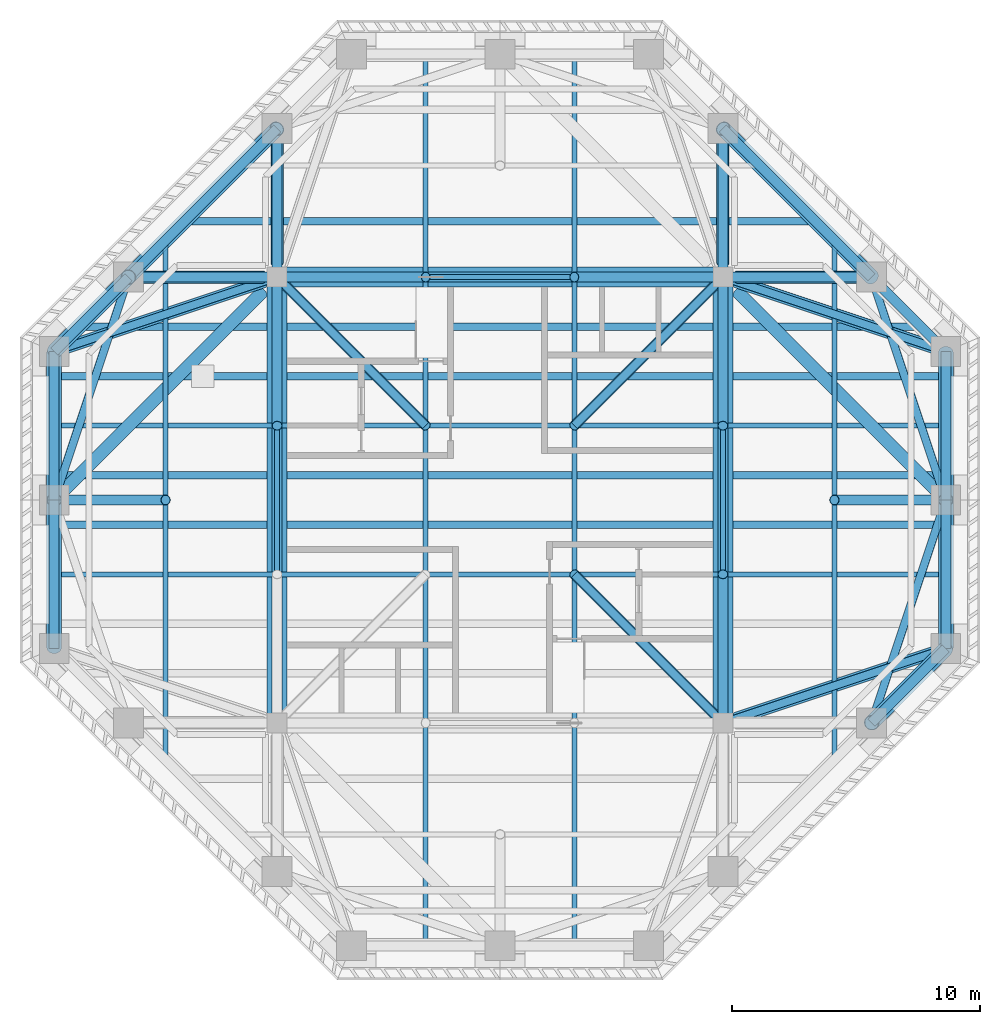
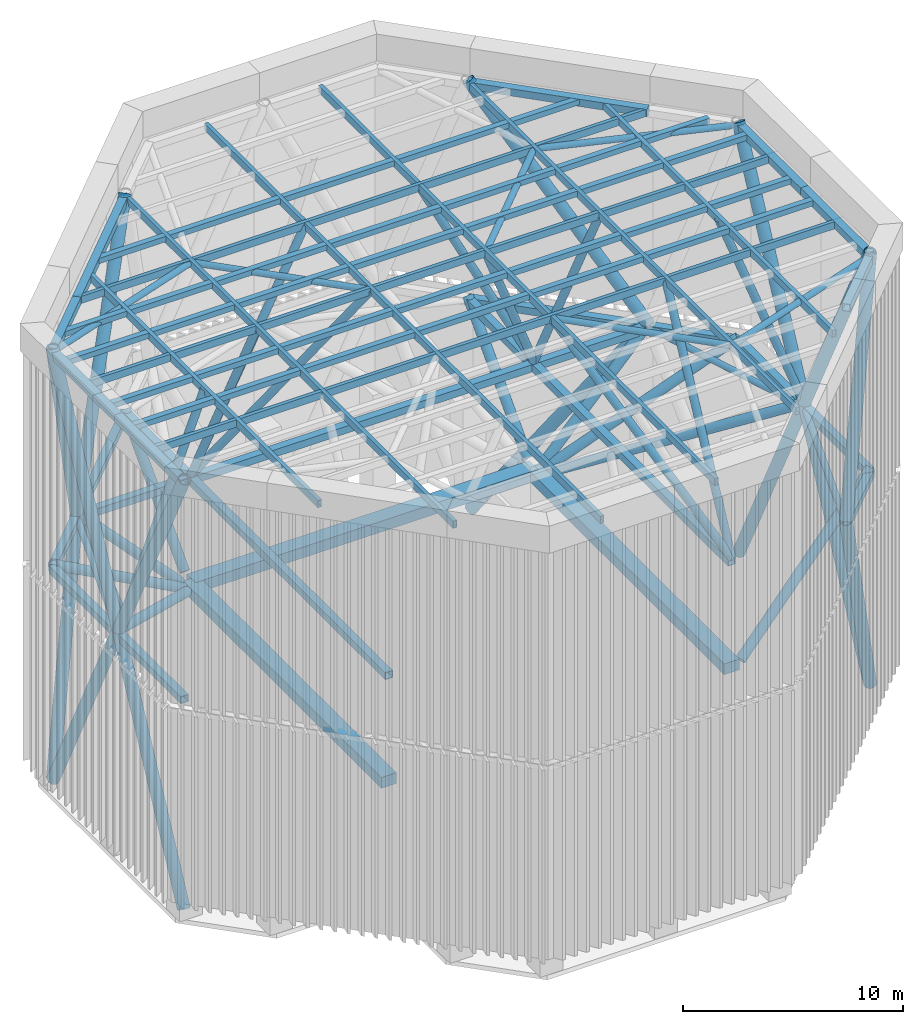
# One storey, part 2 of 8: 44 members, 41 beams.
"""IFC4 building model written with IfcOpenShell, lengths in metres."""

from ifc_helpers import new_model, si_unit, direction, frame, origin, origin_2d, place, context, subcontext, project, spatial, rectangle, hollow_rectangle, hollow_circle, extrude, material, material_profile, profile_set, type_object, element, save


model = new_model("IFC4")

# Units and contexts
model_context = context("Model", 3, precision=1e-05, world=origin(), true_north=direction((0.0, 1.0)))
body_context = subcontext(model_context, "Body", "Model", "MODEL_VIEW")
ifc_project = project(units=[si_unit("LENGTHUNIT", "METRE"), si_unit("AREAUNIT", "SQUARE_METRE"), si_unit("VOLUMEUNIT", "CUBIC_METRE"), si_unit("PLANEANGLEUNIT", "RADIAN"), si_unit("MASSUNIT", "GRAM", prefix="KILO")], contexts=[model_context])

# Site, building, storey
site_placement = place(None, origin())
site = spatial("IfcSite", under=ifc_project, at=site_placement, CompositionType="ELEMENT")
building_placement = place(site_placement, origin())
building = spatial("IfcBuilding", under=site, at=building_placement, Name="Torre Cruceta", CompositionType="ELEMENT")
storey_placement = place(building_placement, frame((0.0, 0.0, 293.300048828125)))
storey = spatial("IfcBuildingStorey", under=building, at=storey_placement, Name="RF", CompositionType="ELEMENT", Elevation=293.300048828125)

# Beams
ifc_material_1 = material(Name="Concrete G60 (fck 60 MPa)", Category="concrete")
ifc_material_profile_1 = material_profile(ifc_material_1, rectangle(XDim=0.800048828125, YDim=0.60009765625, at=origin_2d()), Name="RC 800X600")
ifc_profile_set_1 = profile_set([ifc_material_profile_1], Name="Concrete G60 (fck 60 MPa)")
beam_type_1 = type_object("IfcBeamType", Name="CORE ROOF RING BEAM RC 800X600", PredefinedType="BEAM", material=ifc_profile_set_1)
for number, where, z_axis, x_axis, name in (
    (1, (9.0, 9.0, 5.949951171875), (-1.0, 0.0, 0.0), (0.0, -1.0, 0.0), "RB1 RF core ring 1"),
    (2, (-9.0, 9.0, 5.949951171875), (0.0, -1.0, 0.0), (1.0, 0.0, 0.0), "RB1 RF core ring 2"),
    (3, (9.0, -9.0, 5.949951171875), (0.0, 1.0, 0.0), (-1.0, 0.0, 0.0), "RB1 RF core ring 4"),
):
    element("IfcBeam", number, at=place(storey_placement, frame(where, z_axis=z_axis, x_axis=x_axis)), inside=storey, type_object=beam_type_1, Name=name, PredefinedType="BEAM", context=body_context, shape_type="SweptSolid", body=[
        extrude(rectangle(XDim=0.800048828125, YDim=0.60009765625, at=origin_2d()), origin(), (0.0, 0.0, 1.0), 18.0),
    ])

# Members
ifc_material_2 = material(Name="Steel S355J2H", Category="steel")
ifc_material_profile_2 = material_profile(ifc_material_2, hollow_circle(Radius=0.304931640625, WallThickness=0.02490234375, at=origin_2d()), Name="CHS610X25")
ifc_profile_set_2 = profile_set([ifc_material_profile_2], Name="Steel S355J2H")
member_type_1 = type_object("IfcMemberType", Name="CROWN FRAME BRACE CHS610X25", PredefinedType="BRACE", material=ifc_profile_set_2)
member_1_placement = place(storey_placement, frame((17.973388671875, -6.026611328125, 0.106689453125), z_axis=(-0.235706561174, -0.235706561174, 0.942806891171), x_axis=(0.707106781187, -0.707106781187, 0.0)))
element("IfcMember", 4, at=member_1_placement, inside=storey, type_object=member_type_1, Name="Crown frame brace CD2 1-08", PredefinedType="BRACE", context=body_context, shape_type="SweptSolid", body=[
    extrude(hollow_circle(Radius=0.304931640625, WallThickness=0.02490234375, at=origin_2d()), origin(), (0.0, 0.0, 1.0), 12.61474609375),
])
for number, where, z_axis, x_axis, name in (
    (5, (18.0, -5.92919921875, 0.141357421875), (0.0, 0.447206229822, 0.894430873801), (-1.0, 0.0, 0.0), "Crown frame brace CD2 1-09"),
    (6, (18.0, 5.92919921875, 0.141357421875), (0.0, -0.447206229822, 0.894430873801), (1.0, 0.0, 0.0), "Crown frame brace CD2 1-10"),
):
    element("IfcMember", number, at=place(storey_placement, frame(where, z_axis=z_axis, x_axis=x_axis)), inside=storey, type_object=member_type_1, Name=name, PredefinedType="BRACE", context=body_context, shape_type="SweptSolid", body=[
        extrude(hollow_circle(Radius=0.304931640625, WallThickness=0.02490234375, at=origin_2d()), origin(), (0.0, 0.0, 1.0), 13.25830078125),
    ])
for number, where, z_axis, x_axis, name in (
    (7, (9.090576171875, 14.909423828125, 0.18115234375), (0.408248290464, -0.408248290464, 0.816496580928), (0.707106781187, 0.707106781187, 0.0), "Crown frame brace CD2 1-12"),
    (8, (-9.090576171875, 14.909423828125, 0.18115234375), (-0.408248290464, -0.408248290464, 0.816496580928), (0.707106781187, -0.707106781187, 0.0), "Crown frame brace CD2 1-17"),
):
    element("IfcMember", number, at=place(storey_placement, frame(where, z_axis=z_axis, x_axis=x_axis)), inside=storey, type_object=member_type_1, Name=name, PredefinedType="BRACE", context=body_context, shape_type="SweptSolid", body=[
        extrude(hollow_circle(Radius=0.304931640625, WallThickness=0.02490234375, at=origin_2d()), origin(), (0.0, 0.0, 1.0), 14.47509765625),
    ])
member_2_placement = place(storey_placement, frame((-17.973388671875, 6.026611328125, 0.106689453125), z_axis=(0.235706561174, 0.235706561174, 0.942806891171), x_axis=(-0.707106781187, 0.707106781187, 0.0)))
element("IfcMember", 9, at=member_2_placement, inside=storey, type_object=member_type_1, Name="Crown frame brace CD2 1-18", PredefinedType="BRACE", context=body_context, shape_type="SweptSolid", body=[
    extrude(hollow_circle(Radius=0.304931640625, WallThickness=0.02490234375, at=origin_2d()), origin(), (0.0, 0.0, 1.0), 12.61474609375),
])
for number, where, z_axis, x_axis, name in (
    (10, (-18.0, 5.92919921875, 0.141357421875), (0.0, -0.447206229822, 0.894430873801), (1.0, 0.0, 0.0), "Crown frame brace CD2 1-19"),
    (11, (-18.0, -5.92919921875, 0.141357421875), (0.0, 0.447206229822, 0.894430873801), (-1.0, 0.0, 0.0), "Crown frame brace CD2 1-20"),
):
    element("IfcMember", number, at=place(storey_placement, frame(where, z_axis=z_axis, x_axis=x_axis)), inside=storey, type_object=member_type_1, Name=name, PredefinedType="BRACE", context=body_context, shape_type="SweptSolid", body=[
        extrude(hollow_circle(Radius=0.304931640625, WallThickness=0.02490234375, at=origin_2d()), origin(), (0.0, 0.0, 1.0), 13.25830078125),
    ])
ifc_material_3 = material(Name="Steel S355J2H", Category="steel")
ifc_material_profile_3 = material_profile(ifc_material_3, hollow_circle(Radius=0.304931640625, WallThickness=0.030029296875, at=origin_2d()), Name="CHS610X30")
ifc_profile_set_3 = profile_set([ifc_material_profile_3], Name="Steel S355J2H")
member_type_2 = type_object("IfcMemberType", Name="CROWN FRAME BRACE CHS610X30", PredefinedType="BRACE", material=ifc_profile_set_3)
member_3_placement = place(storey_placement, frame((15.0, -9.0, 12.0), z_axis=(0.235702260396, 0.235702260396, 0.942809041582), x_axis=(-0.707106781187, 0.707106781187, 0.0)))
element("IfcMember", 12, at=member_3_placement, inside=storey, type_object=member_type_2, Name="Crown frame brace CD1 2-08", PredefinedType="BRACE", context=body_context, shape_type="SweptSolid", body=[
    extrude(hollow_circle(Radius=0.304931640625, WallThickness=0.030029296875, at=origin_2d()), origin(), (0.0, 0.0, 1.0), 12.72802734375),
])
for number, where, z_axis, x_axis, name in (
    (13, (18.0, 0.0, 12.0), (0.0, -0.4472135955, 0.894427191), (1.0, 0.0, 0.0), "Crown frame brace CD1 2-09"),
    (14, (18.0, 0.0, 12.0), (0.0, 0.4472135955, 0.894427191), (-1.0, 0.0, 0.0), "Crown frame brace CD1 2-10"),
):
    element("IfcMember", number, at=place(storey_placement, frame(where, z_axis=z_axis, x_axis=x_axis)), inside=storey, type_object=member_type_2, Name=name, PredefinedType="BRACE", context=body_context, shape_type="SweptSolid", body=[
        extrude(hollow_circle(Radius=0.304931640625, WallThickness=0.030029296875, at=origin_2d()), origin(), (0.0, 0.0, 1.0), 13.41650390625),
    ])
for number, where, z_axis, x_axis, name in (
    (15, (15.0, 9.0, 12.0), (-0.408248290464, 0.408248290464, 0.816496580928), (-0.707106781187, -0.707106781187, 0.0), "Crown frame brace CD1 2-12"),
    (16, (-15.0, 9.0, 12.0), (0.408248290464, 0.408248290464, 0.816496580928), (-0.707106781187, 0.707106781187, 0.0), "Crown frame brace CD1 2-17"),
):
    element("IfcMember", number, at=place(storey_placement, frame(where, z_axis=z_axis, x_axis=x_axis)), inside=storey, type_object=member_type_2, Name=name, PredefinedType="BRACE", context=body_context, shape_type="SweptSolid", body=[
        extrude(hollow_circle(Radius=0.304931640625, WallThickness=0.030029296875, at=origin_2d()), origin(), (0.0, 0.0, 1.0), 14.697021484375),
    ])
member_4_placement = place(storey_placement, frame((-15.0, 9.0, 12.0), z_axis=(-0.235702260396, -0.235702260396, 0.942809041582), x_axis=(0.707106781187, -0.707106781187, 0.0)))
element("IfcMember", 17, at=member_4_placement, inside=storey, type_object=member_type_2, Name="Crown frame brace CD1 2-18", PredefinedType="BRACE", context=body_context, shape_type="SweptSolid", body=[
    extrude(hollow_circle(Radius=0.304931640625, WallThickness=0.030029296875, at=origin_2d()), origin(), (0.0, 0.0, 1.0), 12.72802734375),
])
for number, where, z_axis, x_axis, name in (
    (18, (-18.0, 0.0, 12.0), (0.0, 0.4472135955, 0.894427191), (-1.0, 0.0, 0.0), "Crown frame brace CD1 2-19"),
    (19, (-18.0, 0.0, 12.0), (0.0, -0.4472135955, 0.894427191), (1.0, 0.0, 0.0), "Crown frame brace CD1 2-20"),
):
    element("IfcMember", number, at=place(storey_placement, frame(where, z_axis=z_axis, x_axis=x_axis)), inside=storey, type_object=member_type_2, Name=name, PredefinedType="BRACE", context=body_context, shape_type="SweptSolid", body=[
        extrude(hollow_circle(Radius=0.304931640625, WallThickness=0.030029296875, at=origin_2d()), origin(), (0.0, 0.0, 1.0), 13.41650390625),
    ])

# Beams
ifc_material_4 = material(Name="Steel S355J2H", Category="steel")
ifc_material_profile_4 = material_profile(ifc_material_4, hollow_rectangle(XDim=0.199951171875, YDim=0.39990234375, WallThickness=0.012451171875, at=origin_2d()), Name="RHS400X200X12.5")
ifc_profile_set_4 = profile_set([ifc_material_profile_4], Name="Steel S355J2H")
beam_type_2 = type_object("IfcBeamType", Name="CROWN FRAME CAP BEAM RHS400X200X12.5", PredefinedType="BEAM", material=ifc_profile_set_4)
for number, where, z_axis, x_axis, name in (
    (20, (-15.0, 9.0, 23.800048828125), (1.0, 0.0, 0.0), (0.0, 1.0, 0.0), "Crown frame cap beam CK1 G02"),
    (21, (-9.0, -15.0, 23.800048828125), (0.0, 1.0, 0.0), (-1.0, 0.0, 0.0), "Crown frame cap beam CK1 G03"),
    (22, (9.0, -15.0, 23.800048828125), (0.0, 1.0, 0.0), (-1.0, 0.0, 0.0), "Crown frame cap beam CK1 G04"),
):
    element("IfcBeam", number, at=place(storey_placement, frame(where, z_axis=z_axis, x_axis=x_axis)), inside=storey, type_object=beam_type_2, Name=name, PredefinedType="BEAM", context=body_context, shape_type="SweptSolid", body=[
        extrude(hollow_rectangle(XDim=0.199951171875, YDim=0.39990234375, WallThickness=0.012451171875, at=origin_2d()), origin(), (0.0, 0.0, 1.0), 30.0),
    ])
for number, where, z_axis, x_axis, name in (
    (23, (-18.0, -3.0, 23.800048828125), (1.0, 0.0, 0.0), (0.0, 1.0, 0.0), "Crown frame cap beam CK1 G05"),
    (24, (-18.0, 3.0, 23.800048828125), (1.0, 0.0, 0.0), (0.0, 1.0, 0.0), "Crown frame cap beam CK1 G06"),
    (25, (-3.0, -18.0, 23.800048828125), (0.0, 1.0, 0.0), (-1.0, 0.0, 0.0), "Crown frame cap beam CK1 G07"),
    (26, (3.0, -18.0, 23.800048828125), (0.0, 1.0, 0.0), (-1.0, 0.0, 0.0), "Crown frame cap beam CK1 G08"),
):
    element("IfcBeam", number, at=place(storey_placement, frame(where, z_axis=z_axis, x_axis=x_axis)), inside=storey, type_object=beam_type_2, Name=name, PredefinedType="BEAM", context=body_context, shape_type="SweptSolid", body=[
        extrude(hollow_rectangle(XDim=0.199951171875, YDim=0.39990234375, WallThickness=0.012451171875, at=origin_2d()), origin(), (0.0, 0.0, 1.0), 36.0),
    ])
for number, where, z_axis, x_axis, name in (
    (27, (-13.5, -10.5, 23.800048828125), (0.0, 1.0, 0.0), (-1.0, 0.0, 0.0), "Crown frame cap beam CK1 G11"),
    (28, (13.5, -10.5, 23.800048828125), (0.0, 1.0, 0.0), (-1.0, 0.0, 0.0), "Crown frame cap beam CK1 G12"),
):
    element("IfcBeam", number, at=place(storey_placement, frame(where, z_axis=z_axis, x_axis=x_axis)), inside=storey, type_object=beam_type_2, Name=name, PredefinedType="BEAM", context=body_context, shape_type="SweptSolid", body=[
        extrude(hollow_rectangle(XDim=0.199951171875, YDim=0.39990234375, WallThickness=0.012451171875, at=origin_2d()), origin(), (0.0, 0.0, 1.0), 21.0),
    ])

# Members
ifc_material_5 = material(Name="Steel S355J2H", Category="steel")
ifc_material_profile_5 = material_profile(ifc_material_5, hollow_circle(Radius=0.203125, WallThickness=0.012451171875, at=origin_2d()), Name="CHS406.4X12.5")
ifc_profile_set_5 = profile_set([ifc_material_profile_5], Name="Steel S355J2H")
member_type_3 = type_object("IfcMemberType", Name="CROWN FRAME CAP STRUT CHS406.4X12.5", PredefinedType="BRACE", material=ifc_profile_set_5)
for number, where, z_axis, x_axis, name in (
    (29, (9.0, 9.0, 12.0), (-0.45324518615, 0.0, 0.891385887947), (0.0, -1.0, 0.0), "Crown frame cap strut CD3 01"),
    (30, (9.0, 9.0, 12.0), (0.0, -0.45324518615, 0.891385887947), (1.0, 0.0, 0.0), "Crown frame cap strut CD3 02"),
):
    element("IfcMember", number, at=place(storey_placement, frame(where, z_axis=z_axis, x_axis=x_axis)), inside=storey, type_object=member_type_3, Name=name, PredefinedType="BRACE", context=body_context, shape_type="SweptSolid", body=[
        extrude(hollow_circle(Radius=0.203125, WallThickness=0.012451171875, at=origin_2d()), origin(), (0.0, 0.0, 1.0), 13.23779296875),
    ])
member_5_placement = place(storey_placement, frame((9.0, 9.0, 12.0), z_axis=(-0.412821194751, -0.412821194751, 0.811885042558), x_axis=(0.707106781187, -0.707106781187, 0.0)))
element("IfcMember", 31, at=member_5_placement, inside=storey, type_object=member_type_3, Name="Crown frame cap strut CD3 03", PredefinedType="BRACE", context=body_context, shape_type="SweptSolid", body=[
    extrude(hollow_circle(Radius=0.203125, WallThickness=0.012451171875, at=origin_2d()), origin(), (0.0, 0.0, 1.0), 14.5341796875),
])
member_6_placement = place(storey_placement, frame((9.0, -9.0, 12.0), z_axis=(0.0, 0.45324518615, 0.891385887947), x_axis=(-1.0, 0.0, 0.0)))
element("IfcMember", 32, at=member_6_placement, inside=storey, type_object=member_type_3, Name="Crown frame cap strut CD3 05", PredefinedType="BRACE", context=body_context, shape_type="SweptSolid", body=[
    extrude(hollow_circle(Radius=0.203125, WallThickness=0.012451171875, at=origin_2d()), origin(), (0.0, 0.0, 1.0), 13.23779296875),
])
member_7_placement = place(storey_placement, frame((9.0, -9.0, 12.0), z_axis=(-0.412821194751, 0.412821194751, 0.811885042558), x_axis=(-0.707106781187, -0.707106781187, 0.0)))
element("IfcMember", 33, at=member_7_placement, inside=storey, type_object=member_type_3, Name="Crown frame cap strut CD3 06", PredefinedType="BRACE", context=body_context, shape_type="SweptSolid", body=[
    extrude(hollow_circle(Radius=0.203125, WallThickness=0.012451171875, at=origin_2d()), origin(), (0.0, 0.0, 1.0), 14.5341796875),
])
for number, where, z_axis, x_axis, name in (
    (34, (-9.0, 9.0, 12.0), (0.45324518615, 0.0, 0.891385887947), (0.0, 1.0, 0.0), "Crown frame cap strut CD3 07"),
    (35, (-9.0, 9.0, 12.0), (0.0, -0.45324518615, 0.891385887947), (1.0, 0.0, 0.0), "Crown frame cap strut CD3 08"),
):
    element("IfcMember", number, at=place(storey_placement, frame(where, z_axis=z_axis, x_axis=x_axis)), inside=storey, type_object=member_type_3, Name=name, PredefinedType="BRACE", context=body_context, shape_type="SweptSolid", body=[
        extrude(hollow_circle(Radius=0.203125, WallThickness=0.012451171875, at=origin_2d()), origin(), (0.0, 0.0, 1.0), 13.23779296875),
    ])
member_8_placement = place(storey_placement, frame((-9.0, 9.0, 12.0), z_axis=(0.412821194751, -0.412821194751, 0.811885042558), x_axis=(0.707106781187, 0.707106781187, 0.0)))
element("IfcMember", 36, at=member_8_placement, inside=storey, type_object=member_type_3, Name="Crown frame cap strut CD3 09", PredefinedType="BRACE", context=body_context, shape_type="SweptSolid", body=[
    extrude(hollow_circle(Radius=0.203125, WallThickness=0.012451171875, at=origin_2d()), origin(), (0.0, 0.0, 1.0), 14.5341796875),
])
for number, where, z_axis, x_axis, name in (
    (37, (18.0, 0.0, 12.0), (-0.356323295084, 0.0, 0.934362729019), (0.0, -1.0, 0.0), "Crown frame cap strut CD3 15"),
    (38, (-18.0, 0.0, 12.0), (0.356323295084, 0.0, 0.934362729019), (0.0, 1.0, 0.0), "Crown frame cap strut CD3 16"),
):
    element("IfcMember", number, at=place(storey_placement, frame(where, z_axis=z_axis, x_axis=x_axis)), inside=storey, type_object=member_type_3, Name=name, PredefinedType="BRACE", context=body_context, shape_type="SweptSolid", body=[
        extrude(hollow_circle(Radius=0.203125, WallThickness=0.012451171875, at=origin_2d()), origin(), (0.0, 0.0, 1.0), 12.62890625),
    ])
ifc_material_6 = material(Name="Steel S355J2H", Category="steel")
ifc_material_profile_6 = material_profile(ifc_material_6, hollow_circle(Radius=0.161865234375, WallThickness=0.010009765625, at=origin_2d()), Name="CHS323.9X10")
ifc_profile_set_6 = profile_set([ifc_material_profile_6], Name="Steel S355J2H")
member_type_4 = type_object("IfcMemberType", Name="CROWN FRAME PLAN BRACE CHS323.9X10", PredefinedType="BRACE", material=ifc_profile_set_6)
for number, where, z_axis, x_axis, name in (
    (39, (15.0, -9.0, 11.800048828125), (0.316227766017, 0.948683298051, 0.0), (-0.948683298051, 0.316227766017, 0.0), "Crown frame plan brace CX1 1-08"),
    (40, (18.0, 0.0, 11.800048828125), (-0.316227766017, 0.948683298051, 0.0), (-0.948683298051, -0.316227766017, 0.0), "Crown frame plan brace CX1 1-10"),
    (41, (-15.0, 9.0, 11.800048828125), (-0.316227766017, -0.948683298051, 0.0), (0.948683298051, -0.316227766017, 0.0), "Crown frame plan brace CX1 1-18"),
):
    element("IfcMember", number, at=place(storey_placement, frame(where, z_axis=z_axis, x_axis=x_axis)), inside=storey, type_object=member_type_4, Name=name, PredefinedType="BRACE", context=body_context, shape_type="SweptSolid", body=[
        extrude(hollow_circle(Radius=0.161865234375, WallThickness=0.010009765625, at=origin_2d()), origin(), (0.0, 0.0, 1.0), 9.48681640625),
    ])
for number, where, z_axis, x_axis, name in (
    (42, (9.0, -9.0, 23.800048828125), (-0.707106781187, 0.707106781187, 0.0), (-0.707106781187, -0.707106781187, 0.0), "Crown frame plan brace CX1 2-02"),
    (43, (9.0, 9.0, 23.800048828125), (-0.707106781187, -0.707106781187, 0.0), (0.707106781187, -0.707106781187, 0.0), "Crown frame plan brace CX1 2-03"),
    (44, (-9.0, 9.0, 23.800048828125), (0.707106781187, -0.707106781187, 0.0), (0.707106781187, 0.707106781187, 0.0), "Crown frame plan brace CX1 2-04"),
):
    element("IfcMember", number, at=place(storey_placement, frame(where, z_axis=z_axis, x_axis=x_axis)), inside=storey, type_object=member_type_4, Name=name, PredefinedType="BRACE", context=body_context, shape_type="SweptSolid", body=[
        extrude(hollow_circle(Radius=0.161865234375, WallThickness=0.010009765625, at=origin_2d()), origin(), (0.0, 0.0, 1.0), 8.4853515625),
    ])
for number, where, z_axis, x_axis, name in (
    (45, (-9.0, 9.0, 23.800048828125), (-0.948683298051, -0.316227766017, 0.0), (0.316227766017, -0.948683298051, 0.0), "Crown frame plan brace CX1 2-09"),
    (46, (9.0, 9.0, 23.800048828125), (0.948683298051, -0.316227766017, 0.0), (0.316227766017, 0.948683298051, 0.0), "Crown frame plan brace CX1 2-11"),
    (47, (9.0, -9.0, 23.800048828125), (0.948683298051, 0.316227766017, 0.0), (-0.316227766017, 0.948683298051, 0.0), "Crown frame plan brace CX1 2-12"),
):
    element("IfcMember", number, at=place(storey_placement, frame(where, z_axis=z_axis, x_axis=x_axis)), inside=storey, type_object=member_type_4, Name=name, PredefinedType="BRACE", context=body_context, shape_type="SweptSolid", body=[
        extrude(hollow_circle(Radius=0.161865234375, WallThickness=0.010009765625, at=origin_2d()), origin(), (0.0, 0.0, 1.0), 9.48681640625),
    ])

# Beams
ifc_material_7 = material(Name="Steel S355J2H", Category="steel")
ifc_material_profile_7 = material_profile(ifc_material_7, hollow_rectangle(XDim=0.39990234375, YDim=0.39990234375, WallThickness=0.02001953125, at=origin_2d()), Name="SHS400X400X20")
ifc_profile_set_7 = profile_set([ifc_material_profile_7], Name="Steel S355J2H")
beam_type_3 = type_object("IfcBeamType", Name="CROWN FRAME RING BEAM SHS400X400X20", PredefinedType="BEAM", material=ifc_profile_set_7)
beam_1_placement = place(storey_placement, frame((15.0, -9.0, 11.800048828125), z_axis=(0.707106781187, 0.707106781187, 0.0), x_axis=(-0.707106781187, 0.707106781187, 0.0)))
element("IfcBeam", 48, at=beam_1_placement, inside=storey, type_object=beam_type_3, Name="Crown frame ring beam CR1 1-08", PredefinedType="BEAM", context=body_context, shape_type="SweptSolid", body=[
    extrude(hollow_rectangle(XDim=0.39990234375, YDim=0.39990234375, WallThickness=0.02001953125, at=origin_2d()), origin(), (0.0, 0.0, 1.0), 4.24267578125),
])
for number, where, z_axis, x_axis, name in (
    (49, (18.0, -6.0, 11.800048828125), (0.0, 1.0, 0.0), (-1.0, 0.0, 0.0), "Crown frame ring beam CR1 1-09"),
    (50, (18.0, 0.0, 11.800048828125), (0.0, 1.0, 0.0), (-1.0, 0.0, 0.0), "Crown frame ring beam CR1 1-10"),
):
    element("IfcBeam", number, at=place(storey_placement, frame(where, z_axis=z_axis, x_axis=x_axis)), inside=storey, type_object=beam_type_3, Name=name, PredefinedType="BEAM", context=body_context, shape_type="SweptSolid", body=[
        extrude(hollow_rectangle(XDim=0.39990234375, YDim=0.39990234375, WallThickness=0.02001953125, at=origin_2d()), origin(), (0.0, 0.0, 1.0), 6.0),
    ])
beam_2_placement = place(storey_placement, frame((18.0, 6.0, 11.800048828125), z_axis=(-0.707106781187, 0.707106781187, 0.0), x_axis=(-0.707106781187, -0.707106781187, 0.0)))
element("IfcBeam", 51, at=beam_2_placement, inside=storey, type_object=beam_type_3, Name="Crown frame ring beam CR1 1-11", PredefinedType="BEAM", context=body_context, shape_type="SweptSolid", body=[
    extrude(hollow_rectangle(XDim=0.39990234375, YDim=0.39990234375, WallThickness=0.02001953125, at=origin_2d()), origin(), (0.0, 0.0, 1.0), 4.24267578125),
])
for number, where, z_axis, x_axis, name in (
    (52, (15.0, 9.0, 11.800048828125), (-0.707106781187, 0.707106781187, 0.0), (-0.707106781187, -0.707106781187, 0.0), "Crown frame ring beam CR1 1-12"),
    (53, (-9.0, 15.0, 11.800048828125), (-0.707106781187, -0.707106781187, 0.0), (0.707106781187, -0.707106781187, 0.0), "Crown frame ring beam CR1 1-17"),
):
    element("IfcBeam", number, at=place(storey_placement, frame(where, z_axis=z_axis, x_axis=x_axis)), inside=storey, type_object=beam_type_3, Name=name, PredefinedType="BEAM", context=body_context, shape_type="SweptSolid", body=[
        extrude(hollow_rectangle(XDim=0.39990234375, YDim=0.39990234375, WallThickness=0.02001953125, at=origin_2d()), origin(), (0.0, 0.0, 1.0), 8.4853515625),
    ])
beam_3_placement = place(storey_placement, frame((-15.0, 9.0, 11.800048828125), z_axis=(-0.707106781187, -0.707106781187, 0.0), x_axis=(0.707106781187, -0.707106781187, 0.0)))
element("IfcBeam", 54, at=beam_3_placement, inside=storey, type_object=beam_type_3, Name="Crown frame ring beam CR1 1-18", PredefinedType="BEAM", context=body_context, shape_type="SweptSolid", body=[
    extrude(hollow_rectangle(XDim=0.39990234375, YDim=0.39990234375, WallThickness=0.02001953125, at=origin_2d()), origin(), (0.0, 0.0, 1.0), 4.24267578125),
])
for number, where, z_axis, x_axis, name in (
    (55, (-18.0, 6.0, 11.800048828125), (0.0, -1.0, 0.0), (1.0, 0.0, 0.0), "Crown frame ring beam CR1 1-19"),
    (56, (-18.0, 0.0, 11.800048828125), (0.0, -1.0, 0.0), (1.0, 0.0, 0.0), "Crown frame ring beam CR1 1-20"),
):
    element("IfcBeam", number, at=place(storey_placement, frame(where, z_axis=z_axis, x_axis=x_axis)), inside=storey, type_object=beam_type_3, Name=name, PredefinedType="BEAM", context=body_context, shape_type="SweptSolid", body=[
        extrude(hollow_rectangle(XDim=0.39990234375, YDim=0.39990234375, WallThickness=0.02001953125, at=origin_2d()), origin(), (0.0, 0.0, 1.0), 6.0),
    ])
beam_4_placement = place(storey_placement, frame((15.0, -9.0, 23.800048828125), z_axis=(0.707106781187, 0.707106781187, 0.0), x_axis=(-0.707106781187, 0.707106781187, 0.0)))
element("IfcBeam", 57, at=beam_4_placement, inside=storey, type_object=beam_type_3, Name="Crown frame ring beam CR1 2-08", PredefinedType="BEAM", context=body_context, shape_type="SweptSolid", body=[
    extrude(hollow_rectangle(XDim=0.39990234375, YDim=0.39990234375, WallThickness=0.02001953125, at=origin_2d()), origin(), (0.0, 0.0, 1.0), 4.24267578125),
])
for number, where, z_axis, x_axis, name in (
    (58, (18.0, -6.0, 23.800048828125), (0.0, 1.0, 0.0), (-1.0, 0.0, 0.0), "Crown frame ring beam CR1 2-09"),
    (59, (18.0, 0.0, 23.800048828125), (0.0, 1.0, 0.0), (-1.0, 0.0, 0.0), "Crown frame ring beam CR1 2-10"),
):
    element("IfcBeam", number, at=place(storey_placement, frame(where, z_axis=z_axis, x_axis=x_axis)), inside=storey, type_object=beam_type_3, Name=name, PredefinedType="BEAM", context=body_context, shape_type="SweptSolid", body=[
        extrude(hollow_rectangle(XDim=0.39990234375, YDim=0.39990234375, WallThickness=0.02001953125, at=origin_2d()), origin(), (0.0, 0.0, 1.0), 6.0),
    ])
for number, where, z_axis, x_axis, name in (
    (60, (15.0, 9.0, 23.800048828125), (-0.707106781187, 0.707106781187, 0.0), (-0.707106781187, -0.707106781187, 0.0), "Crown frame ring beam CR1 2-12"),
    (61, (-9.0, 15.0, 23.800048828125), (-0.707106781187, -0.707106781187, 0.0), (0.707106781187, -0.707106781187, 0.0), "Crown frame ring beam CR1 2-17"),
):
    element("IfcBeam", number, at=place(storey_placement, frame(where, z_axis=z_axis, x_axis=x_axis)), inside=storey, type_object=beam_type_3, Name=name, PredefinedType="BEAM", context=body_context, shape_type="SweptSolid", body=[
        extrude(hollow_rectangle(XDim=0.39990234375, YDim=0.39990234375, WallThickness=0.02001953125, at=origin_2d()), origin(), (0.0, 0.0, 1.0), 8.4853515625),
    ])
beam_5_placement = place(storey_placement, frame((-15.0, 9.0, 23.800048828125), z_axis=(-0.707106781187, -0.707106781187, 0.0), x_axis=(0.707106781187, -0.707106781187, 0.0)))
element("IfcBeam", 62, at=beam_5_placement, inside=storey, type_object=beam_type_3, Name="Crown frame ring beam CR1 2-18", PredefinedType="BEAM", context=body_context, shape_type="SweptSolid", body=[
    extrude(hollow_rectangle(XDim=0.39990234375, YDim=0.39990234375, WallThickness=0.02001953125, at=origin_2d()), origin(), (0.0, 0.0, 1.0), 4.24267578125),
])
for number, where, z_axis, x_axis, name in (
    (63, (-18.0, 6.0, 23.800048828125), (0.0, -1.0, 0.0), (1.0, 0.0, 0.0), "Crown frame ring beam CR1 2-19"),
    (64, (-18.0, 0.0, 23.800048828125), (0.0, -1.0, 0.0), (1.0, 0.0, 0.0), "Crown frame ring beam CR1 2-20"),
):
    element("IfcBeam", number, at=place(storey_placement, frame(where, z_axis=z_axis, x_axis=x_axis)), inside=storey, type_object=beam_type_3, Name=name, PredefinedType="BEAM", context=body_context, shape_type="SweptSolid", body=[
        extrude(hollow_rectangle(XDim=0.39990234375, YDim=0.39990234375, WallThickness=0.02001953125, at=origin_2d()), origin(), (0.0, 0.0, 1.0), 6.0),
    ])
for number, where, z_axis, x_axis, name in (
    (65, (9.0, 9.0, 11.800048828125), (-1.0, 0.0, 0.0), (0.0, -1.0, 0.0), "Crown frame ring beam CR1 I-01"),
    (66, (-9.0, 9.0, 11.800048828125), (0.0, -1.0, 0.0), (1.0, 0.0, 0.0), "Crown frame ring beam CR1 I-02"),
    (67, (9.0, -9.0, 11.800048828125), (0.0, 1.0, 0.0), (-1.0, 0.0, 0.0), "Crown frame ring beam CR1 I-04"),
):
    element("IfcBeam", number, at=place(storey_placement, frame(where, z_axis=z_axis, x_axis=x_axis)), inside=storey, type_object=beam_type_3, Name=name, PredefinedType="BEAM", context=body_context, shape_type="SweptSolid", body=[
        extrude(hollow_rectangle(XDim=0.39990234375, YDim=0.39990234375, WallThickness=0.02001953125, at=origin_2d()), origin(), (0.0, 0.0, 1.0), 18.0),
    ])
for number, where, z_axis, x_axis, name in (
    (68, (9.0, 9.0, 11.800048828125), (1.0, 0.0, 0.0), (0.0, 1.0, 0.0), "Crown frame ring beam CR1 I-05"),
    (69, (9.0, 9.0, 11.800048828125), (0.0, 1.0, 0.0), (-1.0, 0.0, 0.0), "Crown frame ring beam CR1 I-06"),
    (70, (-9.0, 9.0, 11.800048828125), (-1.0, 0.0, 0.0), (0.0, -1.0, 0.0), "Crown frame ring beam CR1 I-07"),
    (71, (-9.0, 9.0, 11.800048828125), (0.0, 1.0, 0.0), (-1.0, 0.0, 0.0), "Crown frame ring beam CR1 I-08"),
):
    element("IfcBeam", number, at=place(storey_placement, frame(where, z_axis=z_axis, x_axis=x_axis)), inside=storey, type_object=beam_type_3, Name=name, PredefinedType="BEAM", context=body_context, shape_type="SweptSolid", body=[
        extrude(hollow_rectangle(XDim=0.39990234375, YDim=0.39990234375, WallThickness=0.02001953125, at=origin_2d()), origin(), (0.0, 0.0, 1.0), 6.0),
    ])
ifc_material_8 = material(Name="Steel S355J2H", Category="steel")
ifc_material_profile_8 = material_profile(ifc_material_8, hollow_rectangle(XDim=0.300048828125, YDim=0.300048828125, WallThickness=0.012451171875, at=origin_2d()), Name="SHS300X300X12.5")
ifc_profile_set_8 = profile_set([ifc_material_profile_8], Name="Steel S355J2H")
beam_type_4 = type_object("IfcBeamType", Name="CROWN FRAME SECONDARY BEAM SHS300X300X12.5", PredefinedType="JOIST", material=ifc_profile_set_8)
for number, where, z_axis, x_axis, name in (
    (72, (-18.0, -1.0, 23.849853515625), (1.0, 0.0, 0.0), (0.0, 1.0, 0.0), "Crown frame secondary beam CK2 05"),
    (73, (-18.0, 1.0, 23.849853515625), (1.0, 0.0, 0.0), (0.0, 1.0, 0.0), "Crown frame secondary beam CK2 06"),
    (74, (-18.0, 5.0, 23.849853515625), (1.0, 0.0, 0.0), (0.0, 1.0, 0.0), "Crown frame secondary beam CK2 07"),
):
    element("IfcBeam", number, at=place(storey_placement, frame(where, z_axis=z_axis, x_axis=x_axis)), inside=storey, type_object=beam_type_4, Name=name, PredefinedType="JOIST", context=body_context, shape_type="SweptSolid", body=[
        extrude(hollow_rectangle(XDim=0.300048828125, YDim=0.300048828125, WallThickness=0.012451171875, at=origin_2d()), origin(), (0.0, 0.0, 1.0), 36.0),
    ])
beam_6_placement = place(storey_placement, frame((-17.0, 7.0, 23.849853515625), z_axis=(1.0, 0.0, 0.0), x_axis=(0.0, 1.0, 0.0)))
element("IfcBeam", 75, at=beam_6_placement, inside=storey, type_object=beam_type_4, Name="Crown frame secondary beam CK2 08", PredefinedType="JOIST", context=body_context, shape_type="SweptSolid", body=[
    extrude(hollow_rectangle(XDim=0.300048828125, YDim=0.300048828125, WallThickness=0.012451171875, at=origin_2d()), origin(), (0.0, 0.0, 1.0), 34.0),
])
beam_7_placement = place(storey_placement, frame((-12.75, 11.25, 23.849853515625), z_axis=(1.0, 0.0, 0.0), x_axis=(0.0, 1.0, 0.0)))
element("IfcBeam", 76, at=beam_7_placement, inside=storey, type_object=beam_type_4, Name="Crown frame secondary beam CK2 09", PredefinedType="JOIST", context=body_context, shape_type="SweptSolid", body=[
    extrude(hollow_rectangle(XDim=0.300048828125, YDim=0.300048828125, WallThickness=0.012451171875, at=origin_2d()), origin(), (0.0, 0.0, 1.0), 25.5),
])

# Members
ifc_material_9 = material(Name="Steel S355J2H", Category="steel")
ifc_material_profile_9 = material_profile(ifc_material_9, hollow_circle(Radius=0.25390625, WallThickness=0.01611328125, at=origin_2d()), Name="CHS508X16")
ifc_profile_set_9 = profile_set([ifc_material_profile_9], Name="Steel S355J2H")
member_type_5 = type_object("IfcMemberType", Name="CROWN FRAME TIE CHS508X16", PredefinedType="STRUT", material=ifc_profile_set_9)
member_9_placement = place(storey_placement, frame((9.556640625, -8.814453125, 6.042724609375), z_axis=(0.78837426852, 0.26279142284, 0.55624336474), x_axis=(-0.316227766017, 0.948683298051, 0.0)))
element("IfcMember", 77, at=member_9_placement, inside=storey, type_object=member_type_5, Name="Crown frame tie CT1 09", PredefinedType="STRUT", context=body_context, shape_type="SweptSolid", body=[
    extrude(hollow_circle(Radius=0.25390625, WallThickness=0.01611328125, at=origin_2d()), origin(), (0.0, 0.0, 1.0), 10.709716796875),
])
member_10_placement = place(storey_placement, frame((9.596923828125, 8.403076171875, 6.071044921875), z_axis=(0.632730391872, -0.632730391872, 0.446435328354), x_axis=(0.707106781187, 0.707106781187, 0.0)))
element("IfcMember", 78, at=member_10_placement, inside=storey, type_object=member_type_5, Name="Crown frame tie CT1 10", PredefinedType="STRUT", context=body_context, shape_type="SweptSolid", body=[
    extrude(hollow_circle(Radius=0.25390625, WallThickness=0.01611328125, at=origin_2d()), origin(), (0.0, 0.0, 1.0), 13.28076171875),
])
member_11_placement = place(storey_placement, frame((9.556640625, 8.814453125, 6.042724609375), z_axis=(0.78837426852, -0.26279142284, 0.55624336474), x_axis=(0.316227766017, 0.948683298051, 0.0)))
element("IfcMember", 79, at=member_11_placement, inside=storey, type_object=member_type_5, Name="Crown frame tie CT1 11", PredefinedType="STRUT", context=body_context, shape_type="SweptSolid", body=[
    extrude(hollow_circle(Radius=0.25390625, WallThickness=0.01611328125, at=origin_2d()), origin(), (0.0, 0.0, 1.0), 10.709716796875),
])
for number, where, z_axis, x_axis, name in (
    (80, (9.5849609375, 9.0, 6.26904296875), (0.68678899506, 0.0, 0.726856847161), (0.0, 1.0, 0.0), "Crown frame tie CT1 12"),
    (81, (9.0, 9.5849609375, 6.26904296875), (0.0, 0.68678899506, 0.726856847161), (-1.0, 0.0, 0.0), "Crown frame tie CT1 13"),
    (82, (-9.0, 9.5849609375, 6.26904296875), (0.0, 0.68678899506, 0.726856847161), (-1.0, 0.0, 0.0), "Crown frame tie CT1 17"),
    (83, (-9.5849609375, 9.0, 6.26904296875), (-0.68678899506, 0.0, 0.726856847161), (0.0, -1.0, 0.0), "Crown frame tie CT1 18"),
):
    element("IfcMember", number, at=place(storey_placement, frame(where, z_axis=z_axis, x_axis=x_axis)), inside=storey, type_object=member_type_5, Name=name, PredefinedType="STRUT", context=body_context, shape_type="SweptSolid", body=[
        extrude(hollow_circle(Radius=0.25390625, WallThickness=0.01611328125, at=origin_2d()), origin(), (0.0, 0.0, 1.0), 7.884521484375),
    ])
member_12_placement = place(storey_placement, frame((-9.556640625, 8.814453125, 6.042724609375), z_axis=(-0.78837426852, -0.26279142284, 0.55624336474), x_axis=(0.316227766017, -0.948683298051, 0.0)))
element("IfcMember", 84, at=member_12_placement, inside=storey, type_object=member_type_5, Name="Crown frame tie CT1 19", PredefinedType="STRUT", context=body_context, shape_type="SweptSolid", body=[
    extrude(hollow_circle(Radius=0.25390625, WallThickness=0.01611328125, at=origin_2d()), origin(), (0.0, 0.0, 1.0), 10.709716796875),
])
member_13_placement = place(storey_placement, frame((-9.596923828125, 8.403076171875, 6.071044921875), z_axis=(-0.632730391872, -0.632730391872, 0.446435328354), x_axis=(0.707106781187, -0.707106781187, 0.0)))
element("IfcMember", 85, at=member_13_placement, inside=storey, type_object=member_type_5, Name="Crown frame tie CT1 20", PredefinedType="STRUT", context=body_context, shape_type="SweptSolid", body=[
    extrude(hollow_circle(Radius=0.25390625, WallThickness=0.01611328125, at=origin_2d()), origin(), (0.0, 0.0, 1.0), 13.28076171875),
])

save(model, "model.ifc")
